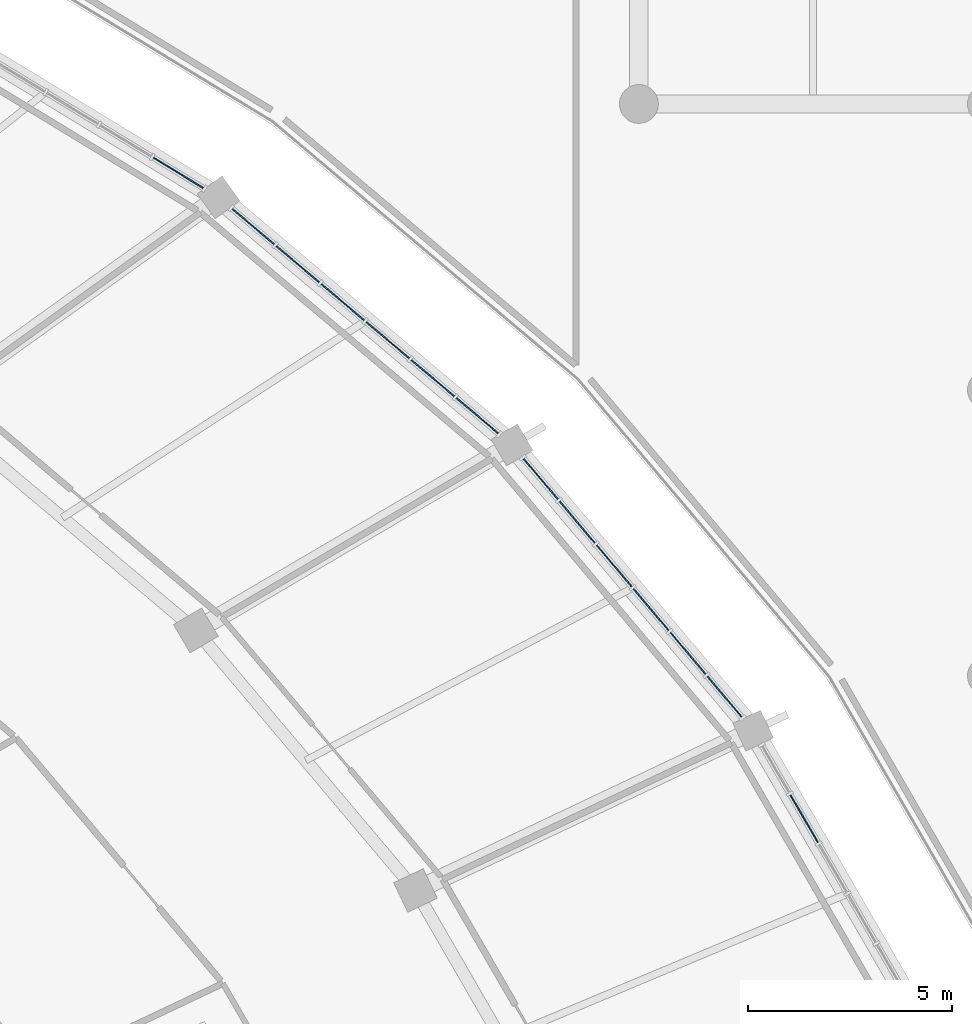
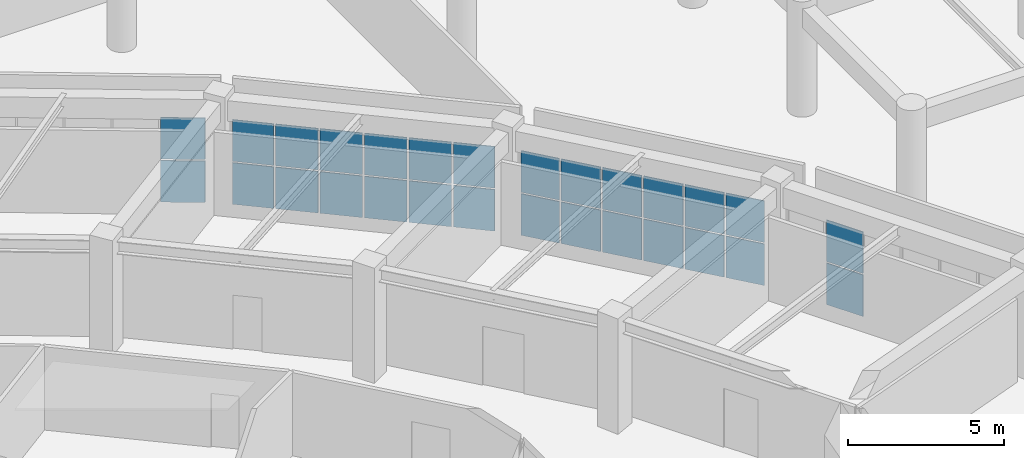
# One storey, part 88 of 141: 28 plates, 4 elements without a shape of their own.
"""IFC4 building model written with IfcOpenShell, lengths in metres."""

import ifcopenshell
import ifcopenshell.guid

model = None  # the IFC model being written
_history = None  # IfcOwnerHistory: only IFC2X3 demands one
_inside = {}  # id of a spatial element -> (the spatial element, [elements in it])
_under = {}  # id of a project, library or spatial element -> (it, [spatial elements below it])
_declared = {}  # id of a project -> (the project, [libraries it declares])
_typed = {}  # id of a type object -> (the type object, [elements of that type])
_made_of = {}  # id of a material, layer set ... -> (it, [elements and type objects made of it])


def new_model(schema):
    """Start an empty IFC model of exactly this schema.

    Asked for "IFC4X3", IfcOpenShell would pick the latest addendum, in which some entities
    have other attributes; the version numbers below select the first issue.
    IFC2X3 requires an IfcOwnerHistory on every rooted entity: one is made here for all.
    """
    global model, _history
    if schema == "IFC4X3":
        model = ifcopenshell.file(schema_version=(4, 3, 0, 0))
    else:
        model = ifcopenshell.file(schema=schema)
    _inside.clear()
    _under.clear()
    _declared.clear()
    _typed.clear()
    _made_of.clear()
    _history = None
    if model.schema == "IFC2X3":
        org = make("IfcOrganization", Name="unknown")
        user = make(
            "IfcPersonAndOrganization",
            ThePerson=make("IfcPerson", FamilyName="unknown"),
            TheOrganization=org,
        )
        app = make(
            "IfcApplication",
            ApplicationDeveloper=org,
            Version="unknown",
            ApplicationFullName="unknown",
            ApplicationIdentifier="unknown",
        )
        _history = make(
            "IfcOwnerHistory",
            OwningUser=user,
            OwningApplication=app,
            ChangeAction="ADDED",
            CreationDate=0,
        )
    return model


def make(cls, **values):
    """One entity of the class cls with the attributes given. An attribute that is None is left unset."""
    return model.create_entity(
        cls, **{name: value for name, value in values.items() if value is not None}
    )


def rooted(cls, **values):
    """An entity with a GlobalId (a new one), such as an element, a storey or a relation."""
    return make(cls, GlobalId=ifcopenshell.guid.new(), OwnerHistory=_history, **values)


def si_unit(unit_type, name, prefix=None):
    """IfcSIUnit, for example si_unit("LENGTHUNIT", "METRE", prefix="MILLI")."""
    return make("IfcSIUnit", UnitType=unit_type, Prefix=prefix, Name=name)


def assignment(units):
    """IfcUnitAssignment: the units of a project."""
    return None if units is None else make("IfcUnitAssignment", Units=units)


def point(xyz):
    """IfcCartesianPoint."""
    return None if xyz is None else make("IfcCartesianPoint", Coordinates=xyz)


def direction(xyz):
    """IfcDirection."""
    return None if xyz is None else make("IfcDirection", DirectionRatios=xyz)


def frame(location, z_axis=None, x_axis=None):
    """IfcAxis2Placement3D, a coordinate frame: its origin and axes. An axis left out is left unset."""
    return make(
        "IfcAxis2Placement3D",
        Location=point(location),
        Axis=direction(z_axis),
        RefDirection=direction(x_axis),
    )


def frame_2d(location, x_axis=None):
    """IfcAxis2Placement2D, a coordinate frame in the plane: its origin and x axis."""
    return make(
        "IfcAxis2Placement2D", Location=point(location), RefDirection=direction(x_axis)
    )


def origin():
    """The frame at (0, 0, 0) with its axes left unset."""
    return frame((0.0, 0.0, 0.0))


def origin_2d():
    """The frame at (0, 0) in the plane with its x axis left unset."""
    return frame_2d((0.0, 0.0))


def place(relative_to, where):
    """IfcLocalPlacement: puts the frame where relative to a parent placement (None: the world)."""
    return make(
        "IfcLocalPlacement", PlacementRelTo=relative_to, RelativePlacement=where
    )


def context(
    kind, dimensions, precision=None, world=None, true_north=None, identifier=None
):
    """IfcGeometricRepresentationContext, for example the 3D "Model" context."""
    return make(
        "IfcGeometricRepresentationContext",
        ContextIdentifier=identifier,
        ContextType=kind,
        CoordinateSpaceDimension=dimensions,
        Precision=precision,
        WorldCoordinateSystem=world,
        TrueNorth=true_north,
    )


def subcontext(parent, identifier, kind, view, scale=None):
    """IfcGeometricRepresentationSubContext, for example "Body" below "Model"."""
    return make(
        "IfcGeometricRepresentationSubContext",
        ContextIdentifier=identifier,
        ContextType=kind,
        ParentContext=parent,
        TargetScale=scale,
        TargetView=view,
    )


def project(units=None, contexts=None):
    """IfcProject with its units and contexts."""
    return rooted(
        "IfcProject",
        Name="project",
        RepresentationContexts=contexts,
        UnitsInContext=assignment(units),
    )


def spatial(cls, under=None, at=None, **own):
    """A site, building, storey or space (cls), placed at a placement, below another one or the project."""
    s = rooted(cls, ObjectPlacement=at, **own)
    if under is not None:
        _under.setdefault(under.id(), (under, []))[1].append(s)
    return s


def profile(cls, at=None, kind="AREA", **sizes):
    """A parametric profile (cls). Its sizes go by their IFC names, for example OverallWidth=200.0."""
    return make(cls, ProfileType=kind, Position=at, **sizes)


def rectangle(**sizes):
    """IfcRectangleProfileDef."""
    return profile("IfcRectangleProfileDef", **sizes)


def extrude(swept, where, along, depth):
    """IfcExtrudedAreaSolid: the profile swept, set in the frame where, extruded along a direction by depth."""
    return make(
        "IfcExtrudedAreaSolid",
        SweptArea=swept,
        Position=where,
        ExtrudedDirection=direction(along),
        Depth=depth,
    )


def shape(context_of_items, identifier, shape_type, items):
    """IfcShapeRepresentation: the items that make up one representation, for example the "Body"."""
    return make(
        "IfcShapeRepresentation",
        ContextOfItems=context_of_items,
        RepresentationIdentifier=identifier,
        RepresentationType=shape_type,
        Items=items,
    )


def material(Name=None, Category=None):
    """IfcMaterial."""
    return make("IfcMaterial", Name=Name, Category=Category)


def layer(
    of_material, thickness, ventilated=None, Name=None, Category=None, Priority=None
):
    """IfcMaterialLayer: one layer of a wall or slab, of a material (None: an air gap)."""
    return make(
        "IfcMaterialLayer",
        Material=of_material,
        LayerThickness=thickness,
        IsVentilated=ventilated,
        Name=Name,
        Category=Category,
        Priority=Priority,
    )


def layer_set(layers, Name=None):
    """IfcMaterialLayerSet."""
    return make("IfcMaterialLayerSet", MaterialLayers=layers, LayerSetName=Name)


def made_of(thing, what):
    """Note that an element or type object is made of a material, layer set ...; save() writes the relation."""
    if what is not None:
        _made_of.setdefault(what.id(), (what, []))[1].append(thing)
    return thing


def type_object(cls, material=None, **own):
    """A type object (cls), such as IfcWallType, which elements share."""
    return made_of(rooted(cls, **own), material)


def element(
    cls,
    number,
    at=None,
    inside=None,
    cuts=None,
    type_object=None,
    material=None,
    context=None,
    identifier="Body",
    shape_type=None,
    held_by="IfcProductDefinitionShape",
    body=None,
    shapes=None,
    **own,
):
    """One element of the class cls, such as IfcWall. Its Tag is "e" and its number.

    at: its placement. inside: the storey or other place that contains it. cuts: it is an
    opening in that element (IfcRelVoidsElement). A single representation is given by context,
    identifier, shape_type and body (its items); several are given by shapes. held_by: the class
    of the entity that holds the representations. save() writes the other relations.
    """
    e = rooted(cls, Tag="e%d" % number, ObjectPlacement=at, **own)
    if body is not None:
        shapes = [shape(context, identifier, shape_type, body)]
    if shapes is not None:
        e.Representation = make(held_by, Representations=shapes)
    if inside is not None:
        _inside.setdefault(inside.id(), (inside, []))[1].append(e)
    if cuts is not None:
        rooted(
            "IfcRelVoidsElement", RelatingBuildingElement=cuts, RelatedOpeningElement=e
        )
    if type_object is not None:
        _typed.setdefault(type_object.id(), (type_object, []))[1].append(e)
    return made_of(e, material)


def aggregate(whole, parts):
    """IfcRelAggregates: a whole, such as a stair, and the parts it consists of."""
    return rooted("IfcRelAggregates", RelatingObject=whole, RelatedObjects=parts)


def save(model, path):
    """Write the relations noted so far, then the file.

    IfcRelAggregates (storeys below a building ...), IfcRelContainedInSpatialStructure (elements
    in a storey), IfcRelDefinesByType, IfcRelAssociatesMaterial and IfcRelDeclares: one each for
    every whole, place, type object, material and project.
    """
    for whole, parts in _under.values():
        aggregate(whole, parts)
    for where, things in _inside.values():
        rooted(
            "IfcRelContainedInSpatialStructure",
            RelatedElements=things,
            RelatingStructure=where,
        )
    for kind, things in _typed.values():
        rooted("IfcRelDefinesByType", RelatedObjects=things, RelatingType=kind)
    for what, things in _made_of.values():
        rooted("IfcRelAssociatesMaterial", RelatedObjects=things, RelatingMaterial=what)
    for by, libraries in _declared.values():
        rooted("IfcRelDeclares", RelatingContext=by, RelatedDefinitions=libraries)
    model.write(path)


model = new_model("IFC4")

# Units and contexts
model_context = context("Model", 3, precision=1e-05, world=origin(), true_north=direction((0.0, 1.0)))
body_context = subcontext(model_context, "Body", "Model", "MODEL_VIEW")
ifc_project = project(units=[si_unit("LENGTHUNIT", "METRE"), si_unit("AREAUNIT", "SQUARE_METRE"), si_unit("VOLUMEUNIT", "CUBIC_METRE"), si_unit("PLANEANGLEUNIT", "RADIAN"), si_unit("MASSUNIT", "GRAM", prefix="KILO")], contexts=[model_context])

# Site, building, storey
site_placement = place(None, origin())
site = spatial("IfcSite", under=ifc_project, at=site_placement, CompositionType="ELEMENT")
building_placement = place(site_placement, origin())
building = spatial("IfcBuilding", under=site, at=building_placement, Name="Mphavela Belvedere Stadium", CompositionType="ELEMENT")
storey_placement = place(building_placement, frame((0.0, 0.0, 14.699951171875)))
storey = spatial("IfcBuildingStorey", under=building, at=storey_placement, Name="L03", CompositionType="ELEMENT", Elevation=14.699951171875)

# Curtain wall, plates
ifc_material_1 = material(Name="Anodised bronze unitised curtain wall framing")
ifc_layer_1 = layer(ifc_material_1, 0.18994140625)
ifc_layer_set_1 = layer_set([ifc_layer_1], Name="Anodised bronze unitised curtain wall framing")
curtain_wall_type_1 = type_object("IfcCurtainWallType", Name="CW-UNIT-03", PredefinedType="USERDEFINED", material=ifc_layer_set_1)
curtain_wall_1_placement = place(storey_placement, origin())
curtain_wall_1 = element("IfcCurtainWall", 1, at=curtain_wall_1_placement, inside=storey, type_object=curtain_wall_type_1, Name="Belvedere colonnade curtain wall L03-04", ObjectType="UNITISED CURTAIN WALL", PredefinedType="USERDEFINED")
ifc_material_2 = material(Name="Solar-control double glazing", Category="glass")
ifc_layer_2 = layer(ifc_material_2, 0.031982421875)
ifc_layer_set_2 = layer_set([ifc_layer_2], Name="Solar-control double glazing")
plate_type = type_object("IfcPlateType", Name="CWP-SOLAR-GLASS", PredefinedType="CURTAIN_PANEL", material=ifc_layer_set_2)
plate_1_placement = place(storey_placement, frame((208.4892578125, 128.50537109375, 0.06005859375), z_axis=(0.0, 0.0, 1.0), x_axis=(-0.50055409961, 0.865705257789, 0.0)))
plate_1 = element("IfcPlate", 2, at=plate_1_placement, type_object=plate_type, Name="CW-03 panel 5.1", PredefinedType="CURTAIN_PANEL", context=body_context, shape_type="SweptSolid", body=[
    extrude(rectangle(XDim=1.346923828125, YDim=0.031982421875, at=origin_2d()), origin(), (0.0, 0.0, 1.0), 1.6201171875),
])
plate_2_placement = place(storey_placement, frame((208.4892578125, 128.50537109375, 1.739990234375), z_axis=(0.0, 0.0, 1.0), x_axis=(-0.50055409961, 0.865705257789, 0.0)))
plate_2 = element("IfcPlate", 3, at=plate_2_placement, type_object=plate_type, Name="CW-03 panel 5.2", PredefinedType="CURTAIN_PANEL", context=body_context, shape_type="SweptSolid", body=[
    extrude(rectangle(XDim=1.346923828125, YDim=0.031982421875, at=origin_2d()), origin(), (0.0, 0.0, 1.0), 1.6201171875),
])
aggregate(curtain_wall_1, [plate_1, plate_2])

ifc_material_3 = material(Name="Anodised bronze unitised curtain wall framing")
ifc_layer_3 = layer(ifc_material_3, 0.195068359375)
ifc_layer_set_3 = layer_set([ifc_layer_3], Name="Anodised bronze unitised curtain wall framing")
curtain_wall_type_2 = type_object("IfcCurtainWallType", Name="CW-UNIT-04", PredefinedType="USERDEFINED", material=ifc_layer_set_3)
curtain_wall_2_placement = place(storey_placement, origin())
curtain_wall_2 = element("IfcCurtainWall", 4, at=curtain_wall_2_placement, inside=storey, type_object=curtain_wall_type_2, Name="Belvedere colonnade curtain wall L03-05", ObjectType="UNITISED CURTAIN WALL", PredefinedType="USERDEFINED")
plate_3_placement = place(storey_placement, frame((206.53955078125, 131.494140625, 0.06005859375), z_axis=(0.0, 0.0, 1.0), x_axis=(-0.645179274532, 0.76403121907, 0.0)))
plate_3 = element("IfcPlate", 5, at=plate_3_placement, type_object=plate_type, Name="CW-04 panel 1.1", PredefinedType="CURTAIN_PANEL", context=body_context, shape_type="SweptSolid", body=[
    extrude(rectangle(XDim=1.303466796875, YDim=0.031982421875, at=origin_2d()), origin(), (0.0, 0.0, 1.0), 1.6201171875),
])
plate_4_placement = place(storey_placement, frame((206.53955078125, 131.494140625, 1.739990234375), z_axis=(0.0, 0.0, 1.0), x_axis=(-0.645179274532, 0.76403121907, 0.0)))
plate_4 = element("IfcPlate", 6, at=plate_4_placement, type_object=plate_type, Name="CW-04 panel 1.2", PredefinedType="CURTAIN_PANEL", context=body_context, shape_type="SweptSolid", body=[
    extrude(rectangle(XDim=1.303466796875, YDim=0.031982421875, at=origin_2d()), origin(), (0.0, 0.0, 1.0), 1.6201171875),
])
plate_5_placement = place(storey_placement, frame((205.646240234375, 132.552001953125, 0.06005859375), z_axis=(0.0, 0.0, 1.0), x_axis=(-0.645179274532, 0.76403121907, 0.0)))
plate_5 = element("IfcPlate", 7, at=plate_5_placement, type_object=plate_type, Name="CW-04 panel 2.1", PredefinedType="CURTAIN_PANEL", context=body_context, shape_type="SweptSolid", body=[
    extrude(rectangle(XDim=1.3359375, YDim=0.031982421875, at=origin_2d()), origin(), (0.0, 0.0, 1.0), 1.6201171875),
])
plate_6_placement = place(storey_placement, frame((205.646240234375, 132.552001953125, 1.739990234375), z_axis=(0.0, 0.0, 1.0), x_axis=(-0.645179274532, 0.76403121907, 0.0)))
plate_6 = element("IfcPlate", 8, at=plate_6_placement, type_object=plate_type, Name="CW-04 panel 2.2", PredefinedType="CURTAIN_PANEL", context=body_context, shape_type="SweptSolid", body=[
    extrude(rectangle(XDim=1.3359375, YDim=0.031982421875, at=origin_2d()), origin(), (0.0, 0.0, 1.0), 1.6201171875),
])
plate_7_placement = place(storey_placement, frame((204.742431640625, 133.622314453125, 0.06005859375), z_axis=(0.0, 0.0, 1.0), x_axis=(-0.645179274532, 0.76403121907, 0.0)))
plate_7 = element("IfcPlate", 9, at=plate_7_placement, type_object=plate_type, Name="CW-04 panel 3.1", PredefinedType="CURTAIN_PANEL", context=body_context, shape_type="SweptSolid", body=[
    extrude(rectangle(XDim=1.3359375, YDim=0.031982421875, at=origin_2d()), origin(), (0.0, 0.0, 1.0), 1.6201171875),
])
plate_8_placement = place(storey_placement, frame((204.742431640625, 133.622314453125, 1.739990234375), z_axis=(0.0, 0.0, 1.0), x_axis=(-0.645179274532, 0.76403121907, 0.0)))
plate_8 = element("IfcPlate", 10, at=plate_8_placement, type_object=plate_type, Name="CW-04 panel 3.2", PredefinedType="CURTAIN_PANEL", context=body_context, shape_type="SweptSolid", body=[
    extrude(rectangle(XDim=1.3359375, YDim=0.031982421875, at=origin_2d()), origin(), (0.0, 0.0, 1.0), 1.6201171875),
])
plate_9_placement = place(storey_placement, frame((203.83837890625, 134.692626953125, 0.06005859375), z_axis=(0.0, 0.0, 1.0), x_axis=(-0.645179274532, 0.76403121907, 0.0)))
plate_9 = element("IfcPlate", 11, at=plate_9_placement, type_object=plate_type, Name="CW-04 panel 4.1", PredefinedType="CURTAIN_PANEL", context=body_context, shape_type="SweptSolid", body=[
    extrude(rectangle(XDim=1.3359375, YDim=0.031982421875, at=origin_2d()), origin(), (0.0, 0.0, 1.0), 1.6201171875),
])
plate_10_placement = place(storey_placement, frame((203.83837890625, 134.692626953125, 1.739990234375), z_axis=(0.0, 0.0, 1.0), x_axis=(-0.645179274532, 0.76403121907, 0.0)))
plate_10 = element("IfcPlate", 12, at=plate_10_placement, type_object=plate_type, Name="CW-04 panel 4.2", PredefinedType="CURTAIN_PANEL", context=body_context, shape_type="SweptSolid", body=[
    extrude(rectangle(XDim=1.3359375, YDim=0.031982421875, at=origin_2d()), origin(), (0.0, 0.0, 1.0), 1.6201171875),
])
plate_11_placement = place(storey_placement, frame((202.9345703125, 135.762939453125, 0.06005859375), z_axis=(0.0, 0.0, 1.0), x_axis=(-0.645179274532, 0.76403121907, 0.0)))
plate_11 = element("IfcPlate", 13, at=plate_11_placement, type_object=plate_type, Name="CW-04 panel 5.1", PredefinedType="CURTAIN_PANEL", context=body_context, shape_type="SweptSolid", body=[
    extrude(rectangle(XDim=1.3359375, YDim=0.031982421875, at=origin_2d()), origin(), (0.0, 0.0, 1.0), 1.6201171875),
])
plate_12_placement = place(storey_placement, frame((202.9345703125, 135.762939453125, 1.739990234375), z_axis=(0.0, 0.0, 1.0), x_axis=(-0.645179274532, 0.76403121907, 0.0)))
plate_12 = element("IfcPlate", 14, at=plate_12_placement, type_object=plate_type, Name="CW-04 panel 5.2", PredefinedType="CURTAIN_PANEL", context=body_context, shape_type="SweptSolid", body=[
    extrude(rectangle(XDim=1.3359375, YDim=0.031982421875, at=origin_2d()), origin(), (0.0, 0.0, 1.0), 1.6201171875),
])
plate_13_placement = place(storey_placement, frame((202.041259765625, 136.82080078125, 0.06005859375), z_axis=(0.0, 0.0, 1.0), x_axis=(-0.645179274532, 0.76403121907, 0.0)))
plate_13 = element("IfcPlate", 15, at=plate_13_placement, type_object=plate_type, Name="CW-04 panel 6.1", PredefinedType="CURTAIN_PANEL", context=body_context, shape_type="SweptSolid", body=[
    extrude(rectangle(XDim=1.303466796875, YDim=0.031982421875, at=origin_2d()), origin(), (0.0, 0.0, 1.0), 1.6201171875),
])
plate_14_placement = place(storey_placement, frame((202.041259765625, 136.82080078125, 1.739990234375), z_axis=(0.0, 0.0, 1.0), x_axis=(-0.645179274532, 0.76403121907, 0.0)))
plate_14 = element("IfcPlate", 16, at=plate_14_placement, type_object=plate_type, Name="CW-04 panel 6.2", PredefinedType="CURTAIN_PANEL", context=body_context, shape_type="SweptSolid", body=[
    extrude(rectangle(XDim=1.303466796875, YDim=0.031982421875, at=origin_2d()), origin(), (0.0, 0.0, 1.0), 1.6201171875),
])
aggregate(curtain_wall_2, [plate_3, plate_4, plate_5, plate_6, plate_7, plate_8, plate_9, plate_10, plate_11, plate_12, plate_13, plate_14])

ifc_material_4 = material(Name="Anodised bronze unitised curtain wall framing")
ifc_layer_4 = layer(ifc_material_4, 0.199951171875)
ifc_layer_set_4 = layer_set([ifc_layer_4], Name="Anodised bronze unitised curtain wall framing")
curtain_wall_type_3 = type_object("IfcCurtainWallType", Name="CW-UNIT-05", PredefinedType="USERDEFINED", material=ifc_layer_set_4)
curtain_wall_3_placement = place(storey_placement, origin())
curtain_wall_3 = element("IfcCurtainWall", 17, at=curtain_wall_3_placement, inside=storey, type_object=curtain_wall_type_3, Name="Belvedere colonnade curtain wall L03-06", ObjectType="UNITISED CURTAIN WALL", PredefinedType="USERDEFINED")
plate_15_placement = place(storey_placement, frame((200.48974609375, 138.36962890625, 0.06005859375), z_axis=(0.0, 0.0, 1.0), x_axis=(-0.764262822183, 0.644904906656, 0.0)))
plate_15 = element("IfcPlate", 18, at=plate_15_placement, type_object=plate_type, Name="CW-05 panel 1.1", PredefinedType="CURTAIN_PANEL", context=body_context, shape_type="SweptSolid", body=[
    extrude(rectangle(XDim=1.344482421875, YDim=0.031982421875, at=origin_2d()), origin(), (0.0, 0.0, 1.0), 1.6201171875),
])
plate_16_placement = place(storey_placement, frame((200.48974609375, 138.36962890625, 1.739990234375), z_axis=(0.0, 0.0, 1.0), x_axis=(-0.764262822183, 0.644904906656, 0.0)))
plate_16 = element("IfcPlate", 19, at=plate_16_placement, type_object=plate_type, Name="CW-05 panel 1.2", PredefinedType="CURTAIN_PANEL", context=body_context, shape_type="SweptSolid", body=[
    extrude(rectangle(XDim=1.344482421875, YDim=0.031982421875, at=origin_2d()), origin(), (0.0, 0.0, 1.0), 1.6201171875),
])
plate_17_placement = place(storey_placement, frame((199.400146484375, 139.2890625, 0.06005859375), z_axis=(0.0, 0.0, 1.0), x_axis=(-0.764262822183, 0.644904906656, 0.0)))
plate_17 = element("IfcPlate", 20, at=plate_17_placement, type_object=plate_type, Name="CW-05 panel 2.1", PredefinedType="CURTAIN_PANEL", context=body_context, shape_type="SweptSolid", body=[
    extrude(rectangle(XDim=1.376953125, YDim=0.031982421875, at=origin_2d()), origin(), (0.0, 0.0, 1.0), 1.6201171875),
])
plate_18_placement = place(storey_placement, frame((199.400146484375, 139.2890625, 1.739990234375), z_axis=(0.0, 0.0, 1.0), x_axis=(-0.764262822183, 0.644904906656, 0.0)))
plate_18 = element("IfcPlate", 21, at=plate_18_placement, type_object=plate_type, Name="CW-05 panel 2.2", PredefinedType="CURTAIN_PANEL", context=body_context, shape_type="SweptSolid", body=[
    extrude(rectangle(XDim=1.376953125, YDim=0.031982421875, at=origin_2d()), origin(), (0.0, 0.0, 1.0), 1.6201171875),
])
plate_19_placement = place(storey_placement, frame((198.298095703125, 140.218994140625, 0.06005859375), z_axis=(0.0, 0.0, 1.0), x_axis=(-0.764262822183, 0.644904906656, 0.0)))
plate_19 = element("IfcPlate", 22, at=plate_19_placement, type_object=plate_type, Name="CW-05 panel 3.1", PredefinedType="CURTAIN_PANEL", context=body_context, shape_type="SweptSolid", body=[
    extrude(rectangle(XDim=1.376953125, YDim=0.031982421875, at=origin_2d()), origin(), (0.0, 0.0, 1.0), 1.6201171875),
])
plate_20_placement = place(storey_placement, frame((198.298095703125, 140.218994140625, 1.739990234375), z_axis=(0.0, 0.0, 1.0), x_axis=(-0.764262822183, 0.644904906656, 0.0)))
plate_20 = element("IfcPlate", 23, at=plate_20_placement, type_object=plate_type, Name="CW-05 panel 3.2", PredefinedType="CURTAIN_PANEL", context=body_context, shape_type="SweptSolid", body=[
    extrude(rectangle(XDim=1.376953125, YDim=0.031982421875, at=origin_2d()), origin(), (0.0, 0.0, 1.0), 1.6201171875),
])
plate_21_placement = place(storey_placement, frame((197.19580078125, 141.14892578125, 0.06005859375), z_axis=(0.0, 0.0, 1.0), x_axis=(-0.764262822183, 0.644904906656, 0.0)))
plate_21 = element("IfcPlate", 24, at=plate_21_placement, type_object=plate_type, Name="CW-05 panel 4.1", PredefinedType="CURTAIN_PANEL", context=body_context, shape_type="SweptSolid", body=[
    extrude(rectangle(XDim=1.376953125, YDim=0.031982421875, at=origin_2d()), origin(), (0.0, 0.0, 1.0), 1.6201171875),
])
plate_22_placement = place(storey_placement, frame((197.19580078125, 141.14892578125, 1.739990234375), z_axis=(0.0, 0.0, 1.0), x_axis=(-0.764262822183, 0.644904906656, 0.0)))
plate_22 = element("IfcPlate", 25, at=plate_22_placement, type_object=plate_type, Name="CW-05 panel 4.2", PredefinedType="CURTAIN_PANEL", context=body_context, shape_type="SweptSolid", body=[
    extrude(rectangle(XDim=1.376953125, YDim=0.031982421875, at=origin_2d()), origin(), (0.0, 0.0, 1.0), 1.6201171875),
])
plate_23_placement = place(storey_placement, frame((196.09375, 142.078857421875, 0.06005859375), z_axis=(0.0, 0.0, 1.0), x_axis=(-0.764262822183, 0.644904906656, 0.0)))
plate_23 = element("IfcPlate", 26, at=plate_23_placement, type_object=plate_type, Name="CW-05 panel 5.1", PredefinedType="CURTAIN_PANEL", context=body_context, shape_type="SweptSolid", body=[
    extrude(rectangle(XDim=1.376953125, YDim=0.031982421875, at=origin_2d()), origin(), (0.0, 0.0, 1.0), 1.6201171875),
])
plate_24_placement = place(storey_placement, frame((196.09375, 142.078857421875, 1.739990234375), z_axis=(0.0, 0.0, 1.0), x_axis=(-0.764262822183, 0.644904906656, 0.0)))
plate_24 = element("IfcPlate", 27, at=plate_24_placement, type_object=plate_type, Name="CW-05 panel 5.2", PredefinedType="CURTAIN_PANEL", context=body_context, shape_type="SweptSolid", body=[
    extrude(rectangle(XDim=1.376953125, YDim=0.031982421875, at=origin_2d()), origin(), (0.0, 0.0, 1.0), 1.6201171875),
])
plate_25_placement = place(storey_placement, frame((195.004150390625, 142.99853515625, 0.06005859375), z_axis=(0.0, 0.0, 1.0), x_axis=(-0.764262822183, 0.644904906656, 0.0)))
plate_25 = element("IfcPlate", 28, at=plate_25_placement, type_object=plate_type, Name="CW-05 panel 6.1", PredefinedType="CURTAIN_PANEL", context=body_context, shape_type="SweptSolid", body=[
    extrude(rectangle(XDim=1.344482421875, YDim=0.031982421875, at=origin_2d()), origin(), (0.0, 0.0, 1.0), 1.6201171875),
])
plate_26_placement = place(storey_placement, frame((195.004150390625, 142.99853515625, 1.739990234375), z_axis=(0.0, 0.0, 1.0), x_axis=(-0.764262822183, 0.644904906656, 0.0)))
plate_26 = element("IfcPlate", 29, at=plate_26_placement, type_object=plate_type, Name="CW-05 panel 6.2", PredefinedType="CURTAIN_PANEL", context=body_context, shape_type="SweptSolid", body=[
    extrude(rectangle(XDim=1.344482421875, YDim=0.031982421875, at=origin_2d()), origin(), (0.0, 0.0, 1.0), 1.6201171875),
])
aggregate(curtain_wall_3, [plate_15, plate_16, plate_17, plate_18, plate_19, plate_20, plate_21, plate_22, plate_23, plate_24, plate_25, plate_26])

ifc_material_5 = material(Name="Anodised bronze unitised curtain wall framing")
ifc_layer_5 = layer(ifc_material_5, 0.205078125)
ifc_layer_set_5 = layer_set([ifc_layer_5], Name="Anodised bronze unitised curtain wall framing")
curtain_wall_type_4 = type_object("IfcCurtainWallType", Name="CW-UNIT-06", PredefinedType="USERDEFINED", material=ifc_layer_set_5)
curtain_wall_4_placement = place(storey_placement, origin())
curtain_wall_4 = element("IfcCurtainWall", 30, at=curtain_wall_4_placement, inside=storey, type_object=curtain_wall_type_4, Name="Belvedere colonnade curtain wall L03-07", ObjectType="UNITISED CURTAIN WALL", PredefinedType="USERDEFINED")
plate_27_placement = place(storey_placement, frame((193.171142578125, 144.3134765625, 0.06005859375), z_axis=(0.0, 0.0, 1.0), x_axis=(-0.8543254975, 0.519738342169, 0.0)))
plate_27 = element("IfcPlate", 31, at=plate_27_placement, type_object=plate_type, Name="CW-06 panel 1.1", PredefinedType="CURTAIN_PANEL", context=body_context, shape_type="SweptSolid", body=[
    extrude(rectangle(XDim=1.428466796875, YDim=0.031982421875, at=origin_2d()), origin(), (0.0, 0.0, 1.0), 1.6201171875),
])
plate_28_placement = place(storey_placement, frame((193.171142578125, 144.3134765625, 1.739990234375), z_axis=(0.0, 0.0, 1.0), x_axis=(-0.8543254975, 0.519738342169, 0.0)))
plate_28 = element("IfcPlate", 32, at=plate_28_placement, type_object=plate_type, Name="CW-06 panel 1.2", PredefinedType="CURTAIN_PANEL", context=body_context, shape_type="SweptSolid", body=[
    extrude(rectangle(XDim=1.428466796875, YDim=0.031982421875, at=origin_2d()), origin(), (0.0, 0.0, 1.0), 1.6201171875),
])
aggregate(curtain_wall_4, [plate_27, plate_28])

save(model, "model.ifc")
